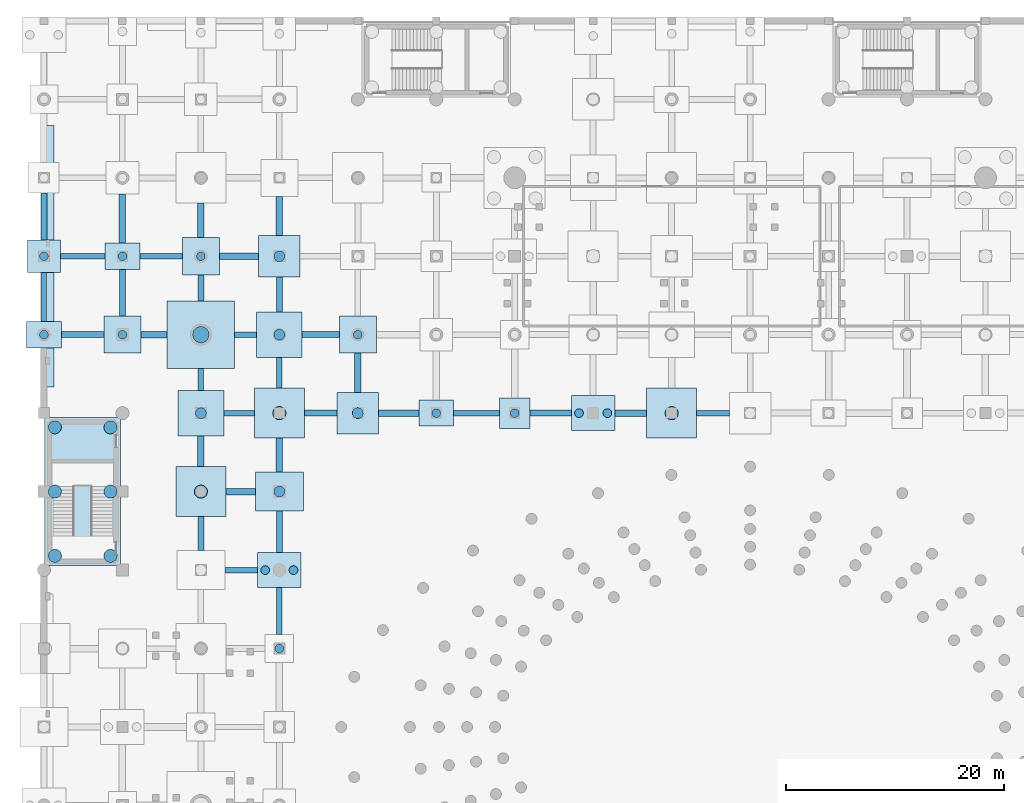
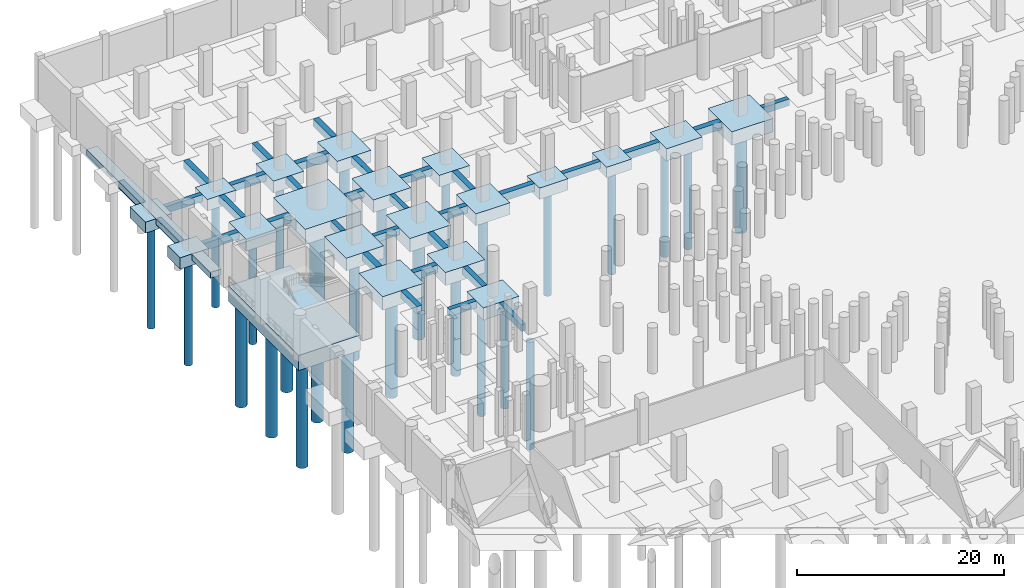
# One storey, part 7 of 37: 53 footings, 28 piles.
"""IFC4 building model written with IfcOpenShell, lengths in metres."""

from ifc_helpers import new_model, si_unit, direction, frame, origin, origin_2d, place, context, subcontext, project, spatial, rectangle, circle, extrude, material, material_profile, profile_set, type_object, element, save


model = new_model("IFC4")

# Units and contexts
model_context = context("Model", 3, precision=1e-05, world=origin(), true_north=direction((0.0, 1.0)))
body_context = subcontext(model_context, "Body", "Model", "MODEL_VIEW")
ifc_project = project(units=[si_unit("LENGTHUNIT", "METRE"), si_unit("AREAUNIT", "SQUARE_METRE"), si_unit("VOLUMEUNIT", "CUBIC_METRE"), si_unit("PLANEANGLEUNIT", "RADIAN"), si_unit("MASSUNIT", "GRAM", prefix="KILO")], contexts=[model_context])

# Site, building, storey
site_placement = place(None, origin())
site = spatial("IfcSite", under=ifc_project, at=site_placement, CompositionType="ELEMENT")
building_placement = place(site_placement, origin())
building = spatial("IfcBuilding", under=site, at=building_placement, Name="Qandorah Velis Arena", CompositionType="ELEMENT")
storey_placement = place(building_placement, frame((0.0, 0.0, -5.39990234375)))
storey = spatial("IfcBuildingStorey", under=building, at=storey_placement, Name="B1", CompositionType="ELEMENT", Elevation=-5.39990234375)

# Footings
ifc_material = material(Name="Concrete C40/50", Category="concrete")
footing_type_1 = type_object("IfcFootingType", Name="STR-CAP-PC1", PredefinedType="PILE_CAP", material=ifc_material)
footing_1_placement = place(storey_placement, frame((14.39990234375, 100.800048828125, -1.80029296875), z_axis=(0.0, 0.0, 1.0), x_axis=(1.0, 0.0, 0.0)))
element("IfcFooting", 1, at=footing_1_placement, inside=storey, type_object=footing_type_1, Name="Pile cap CAP-B1-052", PredefinedType="PILE_CAP", context=body_context, shape_type="SweptSolid", body=[
    extrude(rectangle(XDim=6.199951171875, YDim=6.199951171875, at=origin_2d()), origin(), (0.0, 0.0, 1.0), 1.800048828125),
])
footing_type_2 = type_object("IfcFootingType", Name="STR-CAP-PC12", PredefinedType="PILE_CAP", material=ifc_material)
footing_2_placement = place(storey_placement, frame((3.550048828125, 86.39990234375, -1.80029296875), z_axis=(0.0, 0.0, 1.0), x_axis=(1.0, 0.0, 0.0)))
element("IfcFooting", 2, at=footing_2_placement, inside=storey, type_object=footing_type_2, Name="Pile cap CAP-CORE-CORE-06", PredefinedType="PILE_CAP", context=body_context, shape_type="SweptSolid", body=[
    extrude(rectangle(XDim=6.89990234375, YDim=13.60009765625, at=origin_2d()), origin(), (0.0, 0.0, 1.0), 1.800048828125),
])
footing_type_3 = type_object("IfcFootingType", Name="STR-CAP-PC14", PredefinedType="PILE_CAP", material=ifc_material)
for number, where, z_axis, x_axis, name in (
    (3, (21.60009765625, 79.199951171875, -1.4501953125), (0.0, 0.0, 1.0), (1.0, 0.0, 0.0), "Pile cap CAP-B1-068"),
    (4, (50.39990234375, 93.60009765625, -1.4501953125), (0.0, 0.0, 1.0), (1.0, 0.0, 0.0), "Pile cap CAP-B1-118"),
):
    element("IfcFooting", number, at=place(storey_placement, frame(where, z_axis=z_axis, x_axis=x_axis)), inside=storey, type_object=footing_type_3, Name=name, PredefinedType="PILE_CAP", context=body_context, shape_type="SweptSolid", body=[
        extrude(rectangle(XDim=4.0, YDim=3.199951171875, at=origin_2d()), origin(), (0.0, 0.0, 1.0), 1.449951171875),
    ])
footing_type_4 = type_object("IfcFootingType", Name="STR-CAP-PC15", PredefinedType="PILE_CAP", material=ifc_material)
footing_3_placement = place(storey_placement, frame((21.60009765625, 86.39990234375, -1.55029296875), z_axis=(0.0, 0.0, 1.0), x_axis=(1.0, 0.0, 0.0)))
element("IfcFooting", 5, at=footing_3_placement, inside=storey, type_object=footing_type_4, Name="Pile cap CAP-B1-069", PredefinedType="PILE_CAP", context=body_context, shape_type="SweptSolid", body=[
    extrude(rectangle(XDim=4.39990234375, YDim=3.60009765625, at=origin_2d()), origin(), (0.0, 0.0, 1.0), 1.550048828125),
])
footing_type_5 = type_object("IfcFootingType", Name="STR-CAP-PC3", PredefinedType="PILE_CAP", material=ifc_material)
for number, where, z_axis, x_axis, name in (
    (6, (14.39990234375, 86.39990234375, -1.60009765625), (0.0, 0.0, 1.0), (1.0, 0.0, 0.0), "Pile cap CAP-B1-050"),
    (7, (21.60009765625, 93.60009765625, -1.60009765625), (0.0, 0.0, 1.0), (1.0, 0.0, 0.0), "Pile cap CAP-B1-070"),
    (8, (57.60009765625, 93.60009765625, -1.60009765625), (0.0, 0.0, 1.0), (1.0, 0.0, 0.0), "Pile cap CAP-B1-130"),
):
    element("IfcFooting", number, at=place(storey_placement, frame(where, z_axis=z_axis, x_axis=x_axis)), inside=storey, type_object=footing_type_5, Name=name, PredefinedType="PILE_CAP", context=body_context, shape_type="SweptSolid", body=[
        extrude(rectangle(XDim=4.60009765625, YDim=4.60009765625, at=origin_2d()), origin(), (0.0, 0.0, 1.0), 1.60009765625),
    ])
footing_type_6 = type_object("IfcFootingType", Name="STR-CAP-PC4", PredefinedType="PILE_CAP", material=ifc_material)
for number, where, z_axis, x_axis, name in (
    (9, (14.39990234375, 93.60009765625, -1.5), (0.0, 0.0, 1.0), (1.0, 0.0, 0.0), "Pile cap CAP-B1-051"),
    (10, (21.60009765625, 100.800048828125, -1.5), (0.0, 0.0, 1.0), (1.0, 0.0, 0.0), "Pile cap CAP-B1-071"),
):
    element("IfcFooting", number, at=place(storey_placement, frame(where, z_axis=z_axis, x_axis=x_axis)), inside=storey, type_object=footing_type_6, Name=name, PredefinedType="PILE_CAP", context=body_context, shape_type="SweptSolid", body=[
        extrude(rectangle(XDim=4.199951171875, YDim=4.199951171875, at=origin_2d()), origin(), (0.0, 0.0, 1.0), 1.5),
    ])
footing_type_7 = type_object("IfcFootingType", Name="STR-CAP-PC5", PredefinedType="PILE_CAP", material=ifc_material)
for number, where, z_axis, x_axis, name in (
    (11, (21.60009765625, 108.0, -1.400146484375), (0.0, 0.0, 1.0), (1.0, 0.0, 0.0), "Pile cap CAP-B1-072"),
    (12, (28.800048828125, 93.60009765625, -1.400146484375), (0.0, 0.0, 1.0), (1.0, 0.0, 0.0), "Pile cap CAP-B1-082"),
):
    element("IfcFooting", number, at=place(storey_placement, frame(where, z_axis=z_axis, x_axis=x_axis)), inside=storey, type_object=footing_type_7, Name=name, PredefinedType="PILE_CAP", context=body_context, shape_type="SweptSolid", body=[
        extrude(rectangle(XDim=3.800048828125, YDim=3.800048828125, at=origin_2d()), origin(), (0.0, 0.0, 1.0), 1.39990234375),
    ])
footing_type_8 = type_object("IfcFootingType", Name="STR-CAP-PC6", PredefinedType="PILE_CAP", material=ifc_material)
for number, where, z_axis, x_axis, name in (
    (13, (7.199951171875, 100.800048828125, -1.400146484375), (0.0, 0.0, 1.0), (1.0, 0.0, 0.0), "Pile cap CAP-B1-033"),
    (14, (14.39990234375, 108.0, -1.400146484375), (0.0, 0.0, 1.0), (1.0, 0.0, 0.0), "Pile cap CAP-B1-053"),
    (15, (28.800048828125, 100.800048828125, -1.400146484375), (0.0, 0.0, 1.0), (1.0, 0.0, 0.0), "Pile cap CAP-B1-083"),
):
    element("IfcFooting", number, at=place(storey_placement, frame(where, z_axis=z_axis, x_axis=x_axis)), inside=storey, type_object=footing_type_8, Name=name, PredefinedType="PILE_CAP", context=body_context, shape_type="SweptSolid", body=[
        extrude(rectangle(XDim=3.39990234375, YDim=3.39990234375, at=origin_2d()), origin(), (0.0, 0.0, 1.0), 1.39990234375),
    ])
footing_type_9 = type_object("IfcFootingType", Name="STR-CAP-PC7", PredefinedType="PILE_CAP", material=ifc_material)
for number, where, z_axis, x_axis, name in (
    (16, (0.0, 100.800048828125, -1.35009765625), (0.0, 0.0, 1.0), (1.0, 0.0, 0.0), "Pile cap CAP-B1-014"),
    (17, (7.199951171875, 108.0, -1.35009765625), (0.0, 0.0, 1.0), (1.0, 0.0, 0.0), "Pile cap CAP-B1-034"),
    (18, (36.0, 93.60009765625, -1.35009765625), (0.0, 0.0, 1.0), (1.0, 0.0, 0.0), "Pile cap CAP-B1-094"),
):
    element("IfcFooting", number, at=place(storey_placement, frame(where, z_axis=z_axis, x_axis=x_axis)), inside=storey, type_object=footing_type_9, Name=name, PredefinedType="PILE_CAP", context=body_context, shape_type="SweptSolid", body=[
        extrude(rectangle(XDim=3.199951171875, YDim=2.39990234375, at=origin_2d()), origin(), (0.0, 0.0, 1.0), 1.35009765625),
    ])
footing_type_10 = type_object("IfcFootingType", Name="STR-CAP-PC8", PredefinedType="PILE_CAP", material=ifc_material)
footing_4_placement = place(storey_placement, frame((0.0, 108.0, -1.30029296875), z_axis=(0.0, 0.0, 1.0), x_axis=(1.0, 0.0, 0.0)))
element("IfcFooting", 19, at=footing_4_placement, inside=storey, type_object=footing_type_10, Name="Pile cap CAP-B1-015", PredefinedType="PILE_CAP", context=body_context, shape_type="SweptSolid", body=[
    extrude(rectangle(XDim=3.0, YDim=3.0, at=origin_2d()), origin(), (0.0, 0.0, 1.0), 1.300048828125),
])
footing_type_11 = type_object("IfcFootingType", Name="STR-CAP-PC9", PredefinedType="PILE_CAP", material=ifc_material)
footing_5_placement = place(storey_placement, frame((43.199951171875, 93.60009765625, -1.25), z_axis=(0.0, 0.0, 1.0), x_axis=(1.0, 0.0, 0.0)))
element("IfcFooting", 20, at=footing_5_placement, inside=storey, type_object=footing_type_11, Name="Pile cap CAP-B1-106", PredefinedType="PILE_CAP", context=body_context, shape_type="SweptSolid", body=[
    extrude(rectangle(XDim=2.800048828125, YDim=2.800048828125, at=origin_2d()), origin(), (0.0, 0.0, 1.0), 1.25),
])
ifc_material_profile_1 = material_profile(ifc_material, rectangle(XDim=0.60009765625, YDim=0.89990234375, at=origin_2d()), Name="GB1 600x900")
ifc_profile_set_1 = profile_set([ifc_material_profile_1], Name="Concrete C40/50")
footing_type_12 = type_object("IfcFootingType", Name="STR-GB-FB1", PredefinedType="FOOTING_BEAM", material=ifc_profile_set_1)
footing_6_placement = place(storey_placement, frame((7.199951171875, 109.199951171875, -0.4501953125), z_axis=(0.0, 1.0, 0.0), x_axis=(-1.0, 0.0, 0.0)))
element("IfcFooting", 21, at=footing_6_placement, inside=storey, type_object=footing_type_12, Name="Ground tie beam GB-018", PredefinedType="FOOTING_BEAM", context=body_context, shape_type="SweptSolid", body=[
    extrude(rectangle(XDim=0.60009765625, YDim=0.89990234375, at=origin_2d()), origin(), (0.0, 0.0, 1.0), 4.5),
])
footing_7_placement = place(storey_placement, frame((14.39990234375, 88.699951171875, -0.4501953125), z_axis=(0.0, 1.0, 0.0), x_axis=(-1.0, 0.0, 0.0)))
element("IfcFooting", 22, at=footing_7_placement, inside=storey, type_object=footing_type_12, Name="Ground tie beam GB-033", PredefinedType="FOOTING_BEAM", context=body_context, shape_type="SweptSolid", body=[
    extrude(rectangle(XDim=0.60009765625, YDim=0.89990234375, at=origin_2d()), origin(), (0.0, 0.0, 1.0), 2.800048828125),
])
footing_8_placement = place(storey_placement, frame((14.39990234375, 109.699951171875, -0.4501953125), z_axis=(0.0, 1.0, 0.0), x_axis=(-1.0, 0.0, 0.0)))
element("IfcFooting", 23, at=footing_8_placement, inside=storey, type_object=footing_type_12, Name="Ground tie beam GB-036", PredefinedType="FOOTING_BEAM", context=body_context, shape_type="SweptSolid", body=[
    extrude(rectangle(XDim=0.60009765625, YDim=0.89990234375, at=origin_2d()), origin(), (0.0, 0.0, 1.0), 3.199951171875),
])
footing_9_placement = place(storey_placement, frame((21.60009765625, 88.199951171875, -0.4501953125), z_axis=(0.0, 1.0, 0.0), x_axis=(-1.0, 0.0, 0.0)))
element("IfcFooting", 24, at=footing_9_placement, inside=storey, type_object=footing_type_12, Name="Ground tie beam GB-051", PredefinedType="FOOTING_BEAM", context=body_context, shape_type="SweptSolid", body=[
    extrude(rectangle(XDim=0.60009765625, YDim=0.89990234375, at=origin_2d()), origin(), (0.0, 0.0, 1.0), 3.10009765625),
])
for number, where, z_axis, x_axis, name in (
    (25, (21.60009765625, 109.89990234375, -0.4501953125), (0.0, 1.0, 0.0), (-1.0, 0.0, 0.0), "Ground tie beam GB-054"),
    (26, (28.800048828125, 95.5, -0.4501953125), (0.0, 1.0, 0.0), (-1.0, 0.0, 0.0), "Ground tie beam GB-060"),
):
    element("IfcFooting", number, at=place(storey_placement, frame(where, z_axis=z_axis, x_axis=x_axis)), inside=storey, type_object=footing_type_12, Name=name, PredefinedType="FOOTING_BEAM", context=body_context, shape_type="SweptSolid", body=[
        extrude(rectangle(XDim=0.60009765625, YDim=0.89990234375, at=origin_2d()), origin(), (0.0, 0.0, 1.0), 3.60009765625),
    ])
footing_10_placement = place(storey_placement, frame((16.699951171875, 86.39990234375, -0.4501953125), z_axis=(1.0, 0.0, 0.0), x_axis=(0.0, 1.0, 0.0)))
element("IfcFooting", 27, at=footing_10_placement, inside=storey, type_object=footing_type_12, Name="Ground tie beam GB-420", PredefinedType="FOOTING_BEAM", context=body_context, shape_type="SweptSolid", body=[
    extrude(rectangle(XDim=0.60009765625, YDim=0.89990234375, at=origin_2d()), origin(), (0.0, 0.0, 1.0), 2.699951171875),
])
footing_11_placement = place(storey_placement, frame((30.699951171875, 93.60009765625, -0.4501953125), z_axis=(1.0, 0.0, 0.0), x_axis=(0.0, 1.0, 0.0)))
element("IfcFooting", 28, at=footing_11_placement, inside=storey, type_object=footing_type_12, Name="Ground tie beam GB-429", PredefinedType="FOOTING_BEAM", context=body_context, shape_type="SweptSolid", body=[
    extrude(rectangle(XDim=0.60009765625, YDim=0.89990234375, at=origin_2d()), origin(), (0.0, 0.0, 1.0), 3.699951171875),
])
footing_12_placement = place(storey_placement, frame((52.39990234375, 93.60009765625, -0.4501953125), z_axis=(1.0, 0.0, 0.0), x_axis=(0.0, 1.0, 0.0)))
element("IfcFooting", 29, at=footing_12_placement, inside=storey, type_object=footing_type_12, Name="Ground tie beam GB-432", PredefinedType="FOOTING_BEAM", context=body_context, shape_type="SweptSolid", body=[
    extrude(rectangle(XDim=0.60009765625, YDim=0.89990234375, at=origin_2d()), origin(), (0.0, 0.0, 1.0), 2.900146484375),
])
footing_13_placement = place(storey_placement, frame((8.89990234375, 100.800048828125, -0.4501953125), z_axis=(1.0, 0.0, 0.0), x_axis=(0.0, 1.0, 0.0)))
element("IfcFooting", 30, at=footing_13_placement, inside=storey, type_object=footing_type_12, Name="Ground tie beam GB-447", PredefinedType="FOOTING_BEAM", context=body_context, shape_type="SweptSolid", body=[
    extrude(rectangle(XDim=0.60009765625, YDim=0.89990234375, at=origin_2d()), origin(), (0.0, 0.0, 1.0), 2.400146484375),
])
footing_14_placement = place(storey_placement, frame((16.10009765625, 108.0, -0.4501953125), z_axis=(1.0, 0.0, 0.0), x_axis=(0.0, 1.0, 0.0)))
element("IfcFooting", 31, at=footing_14_placement, inside=storey, type_object=footing_type_12, Name="Ground tie beam GB-471", PredefinedType="FOOTING_BEAM", context=body_context, shape_type="SweptSolid", body=[
    extrude(rectangle(XDim=0.60009765625, YDim=0.89990234375, at=origin_2d()), origin(), (0.0, 0.0, 1.0), 3.599853515625),
])
ifc_material_profile_2 = material_profile(ifc_material, rectangle(XDim=0.5, YDim=0.800048828125, at=origin_2d()), Name="GB2 500x800")
ifc_profile_set_2 = profile_set([ifc_material_profile_2], Name="Concrete C40/50")
footing_type_13 = type_object("IfcFootingType", Name="STR-GB-FB2", PredefinedType="FOOTING_BEAM", material=ifc_profile_set_2)
footing_15_placement = place(storey_placement, frame((0.0, 102.0, -0.400146484375), z_axis=(0.0, 1.0, 0.0), x_axis=(-1.0, 0.0, 0.0)))
element("IfcFooting", 32, at=footing_15_placement, inside=storey, type_object=footing_type_13, Name="Ground tie beam GB-007", PredefinedType="FOOTING_BEAM", context=body_context, shape_type="SweptSolid", body=[
    extrude(rectangle(XDim=0.5, YDim=0.800048828125, at=origin_2d()), origin(), (0.0, 0.0, 1.0), 4.5),
])
footing_16_placement = place(storey_placement, frame((14.39990234375, 95.699951171875, -0.400146484375), z_axis=(0.0, 1.0, 0.0), x_axis=(-1.0, 0.0, 0.0)))
element("IfcFooting", 33, at=footing_16_placement, inside=storey, type_object=footing_type_13, Name="Ground tie beam GB-034", PredefinedType="FOOTING_BEAM", context=body_context, shape_type="SweptSolid", body=[
    extrude(rectangle(XDim=0.5, YDim=0.800048828125, at=origin_2d()), origin(), (0.0, 0.0, 1.0), 2.0),
])
footing_17_placement = place(storey_placement, frame((21.60009765625, 73.300048828125, -0.400146484375), z_axis=(0.0, 1.0, 0.0), x_axis=(-1.0, 0.0, 0.0)))
element("IfcFooting", 34, at=footing_17_placement, inside=storey, type_object=footing_type_13, Name="Ground tie beam GB-049", PredefinedType="FOOTING_BEAM", context=body_context, shape_type="SweptSolid", body=[
    extrude(rectangle(XDim=0.5, YDim=0.800048828125, at=origin_2d()), origin(), (0.0, 0.0, 1.0), 4.300048828125),
])
footing_18_placement = place(storey_placement, frame((21.60009765625, 95.89990234375, -0.400146484375), z_axis=(0.0, 1.0, 0.0), x_axis=(-1.0, 0.0, 0.0)))
element("IfcFooting", 35, at=footing_18_placement, inside=storey, type_object=footing_type_13, Name="Ground tie beam GB-052", PredefinedType="FOOTING_BEAM", context=body_context, shape_type="SweptSolid", body=[
    extrude(rectangle(XDim=0.5, YDim=0.800048828125, at=origin_2d()), origin(), (0.0, 0.0, 1.0), 2.800048828125),
])
footing_19_placement = place(storey_placement, frame((16.60009765625, 79.199951171875, -0.400146484375), z_axis=(1.0, 0.0, 0.0), x_axis=(0.0, 1.0, 0.0)))
element("IfcFooting", 36, at=footing_19_placement, inside=storey, type_object=footing_type_13, Name="Ground tie beam GB-418", PredefinedType="FOOTING_BEAM", context=body_context, shape_type="SweptSolid", body=[
    extrude(rectangle(XDim=0.5, YDim=0.800048828125, at=origin_2d()), origin(), (0.0, 0.0, 1.0), 3.0),
])
footing_20_placement = place(storey_placement, frame((16.5, 93.60009765625, -0.400146484375), z_axis=(1.0, 0.0, 0.0), x_axis=(0.0, 1.0, 0.0)))
element("IfcFooting", 37, at=footing_20_placement, inside=storey, type_object=footing_type_13, Name="Ground tie beam GB-427", PredefinedType="FOOTING_BEAM", context=body_context, shape_type="SweptSolid", body=[
    extrude(rectangle(XDim=0.5, YDim=0.800048828125, at=origin_2d()), origin(), (0.0, 0.0, 1.0), 2.800048828125),
])
footing_21_placement = place(storey_placement, frame((37.60009765625, 93.60009765625, -0.400146484375), z_axis=(1.0, 0.0, 0.0), x_axis=(0.0, 1.0, 0.0)))
element("IfcFooting", 38, at=footing_21_placement, inside=storey, type_object=footing_type_13, Name="Ground tie beam GB-430", PredefinedType="FOOTING_BEAM", context=body_context, shape_type="SweptSolid", body=[
    extrude(rectangle(XDim=0.5, YDim=0.800048828125, at=origin_2d()), origin(), (0.0, 0.0, 1.0), 4.199951171875),
])
footing_22_placement = place(storey_placement, frame((59.89990234375, 93.60009765625, -0.400146484375), z_axis=(1.0, 0.0, 0.0), x_axis=(0.0, 1.0, 0.0)))
element("IfcFooting", 39, at=footing_22_placement, inside=storey, type_object=footing_type_13, Name="Ground tie beam GB-433", PredefinedType="FOOTING_BEAM", context=body_context, shape_type="SweptSolid", body=[
    extrude(rectangle(XDim=0.5, YDim=0.800048828125, at=origin_2d()), origin(), (0.0, 0.0, 1.0), 3.0),
])
footing_23_placement = place(storey_placement, frame((17.5, 100.800048828125, -0.400146484375), z_axis=(1.0, 0.0, 0.0), x_axis=(0.0, 1.0, 0.0)))
element("IfcFooting", 40, at=footing_23_placement, inside=storey, type_object=footing_type_13, Name="Ground tie beam GB-448", PredefinedType="FOOTING_BEAM", context=body_context, shape_type="SweptSolid", body=[
    extrude(rectangle(XDim=0.5, YDim=0.800048828125, at=origin_2d()), origin(), (0.0, 0.0, 1.0), 2.0),
])
footing_24_placement = place(storey_placement, frame((1.5, 108.0, -0.400146484375), z_axis=(1.0, 0.0, 0.0), x_axis=(0.0, 1.0, 0.0)))
element("IfcFooting", 41, at=footing_24_placement, inside=storey, type_object=footing_type_13, Name="Ground tie beam GB-469", PredefinedType="FOOTING_BEAM", context=body_context, shape_type="SweptSolid", body=[
    extrude(rectangle(XDim=0.5, YDim=0.800048828125, at=origin_2d()), origin(), (0.0, 0.0, 1.0), 4.10009765625),
])
ifc_material_profile_3 = material_profile(ifc_material, rectangle(XDim=0.550048828125, YDim=0.85009765625, at=origin_2d()), Name="GB3 550x850")
ifc_profile_set_3 = profile_set([ifc_material_profile_3], Name="Concrete C40/50")
footing_type_14 = type_object("IfcFootingType", Name="STR-GB-FB3", PredefinedType="FOOTING_BEAM", material=ifc_profile_set_3)
for number, where, z_axis, x_axis, name in (
    (42, (0.0, 109.5, -0.425048828125), (0.0, 1.0, 0.0), (-1.0, 0.0, 0.0), "Ground tie beam GB-008"),
    (43, (7.199951171875, 102.5, -0.425048828125), (0.0, 1.0, 0.0), (-1.0, 0.0, 0.0), "Ground tie beam GB-017"),
):
    element("IfcFooting", number, at=place(storey_placement, frame(where, z_axis=z_axis, x_axis=x_axis)), inside=storey, type_object=footing_type_14, Name=name, PredefinedType="FOOTING_BEAM", context=body_context, shape_type="SweptSolid", body=[
        extrude(rectangle(XDim=0.550048828125, YDim=0.85009765625, at=origin_2d()), origin(), (0.0, 0.0, 1.0), 4.300048828125),
    ])
footing_25_placement = place(storey_placement, frame((14.39990234375, 81.0, -0.425048828125), z_axis=(0.0, 1.0, 0.0), x_axis=(-1.0, 0.0, 0.0)))
element("IfcFooting", 44, at=footing_25_placement, inside=storey, type_object=footing_type_14, Name="Ground tie beam GB-032", PredefinedType="FOOTING_BEAM", context=body_context, shape_type="SweptSolid", body=[
    extrude(rectangle(XDim=0.550048828125, YDim=0.85009765625, at=origin_2d()), origin(), (0.0, 0.0, 1.0), 3.10009765625),
])
footing_26_placement = place(storey_placement, frame((14.39990234375, 103.89990234375, -0.425048828125), z_axis=(0.0, 1.0, 0.0), x_axis=(-1.0, 0.0, 0.0)))
element("IfcFooting", 45, at=footing_26_placement, inside=storey, type_object=footing_type_14, Name="Ground tie beam GB-035", PredefinedType="FOOTING_BEAM", context=body_context, shape_type="SweptSolid", body=[
    extrude(rectangle(XDim=0.550048828125, YDim=0.85009765625, at=origin_2d()), origin(), (0.0, 0.0, 1.0), 2.400146484375),
])
footing_27_placement = place(storey_placement, frame((21.60009765625, 80.800048828125, -0.425048828125), z_axis=(0.0, 1.0, 0.0), x_axis=(-1.0, 0.0, 0.0)))
element("IfcFooting", 46, at=footing_27_placement, inside=storey, type_object=footing_type_14, Name="Ground tie beam GB-050", PredefinedType="FOOTING_BEAM", context=body_context, shape_type="SweptSolid", body=[
    extrude(rectangle(XDim=0.550048828125, YDim=0.85009765625, at=origin_2d()), origin(), (0.0, 0.0, 1.0), 3.800048828125),
])
footing_28_placement = place(storey_placement, frame((21.60009765625, 102.89990234375, -0.425048828125), z_axis=(0.0, 1.0, 0.0), x_axis=(-1.0, 0.0, 0.0)))
element("IfcFooting", 47, at=footing_28_placement, inside=storey, type_object=footing_type_14, Name="Ground tie beam GB-053", PredefinedType="FOOTING_BEAM", context=body_context, shape_type="SweptSolid", body=[
    extrude(rectangle(XDim=0.550048828125, YDim=0.85009765625, at=origin_2d()), origin(), (0.0, 0.0, 1.0), 3.2001953125),
])
footing_29_placement = place(storey_placement, frame((23.89990234375, 93.60009765625, -0.425048828125), z_axis=(1.0, 0.0, 0.0), x_axis=(0.0, 1.0, 0.0)))
element("IfcFooting", 48, at=footing_29_placement, inside=storey, type_object=footing_type_14, Name="Ground tie beam GB-428", PredefinedType="FOOTING_BEAM", context=body_context, shape_type="SweptSolid", body=[
    extrude(rectangle(XDim=0.550048828125, YDim=0.85009765625, at=origin_2d()), origin(), (0.0, 0.0, 1.0), 3.0),
])
footing_30_placement = place(storey_placement, frame((44.60009765625, 93.60009765625, -0.425048828125), z_axis=(1.0, 0.0, 0.0), x_axis=(0.0, 1.0, 0.0)))
element("IfcFooting", 49, at=footing_30_placement, inside=storey, type_object=footing_type_14, Name="Ground tie beam GB-431", PredefinedType="FOOTING_BEAM", context=body_context, shape_type="SweptSolid", body=[
    extrude(rectangle(XDim=0.550048828125, YDim=0.85009765625, at=origin_2d()), origin(), (0.0, 0.0, 1.0), 3.7998046875),
])
footing_31_placement = place(storey_placement, frame((1.60009765625, 100.800048828125, -0.425048828125), z_axis=(1.0, 0.0, 0.0), x_axis=(0.0, 1.0, 0.0)))
element("IfcFooting", 50, at=footing_31_placement, inside=storey, type_object=footing_type_14, Name="Ground tie beam GB-446", PredefinedType="FOOTING_BEAM", context=body_context, shape_type="SweptSolid", body=[
    extrude(rectangle(XDim=0.550048828125, YDim=0.85009765625, at=origin_2d()), origin(), (0.0, 0.0, 1.0), 3.89990234375),
])
footing_32_placement = place(storey_placement, frame((23.699951171875, 100.800048828125, -0.425048828125), z_axis=(1.0, 0.0, 0.0), x_axis=(0.0, 1.0, 0.0)))
element("IfcFooting", 51, at=footing_32_placement, inside=storey, type_object=footing_type_14, Name="Ground tie beam GB-449", PredefinedType="FOOTING_BEAM", context=body_context, shape_type="SweptSolid", body=[
    extrude(rectangle(XDim=0.550048828125, YDim=0.85009765625, at=origin_2d()), origin(), (0.0, 0.0, 1.0), 3.400146484375),
])
footing_33_placement = place(storey_placement, frame((8.800048828125, 108.0, -0.425048828125), z_axis=(1.0, 0.0, 0.0), x_axis=(0.0, 1.0, 0.0)))
element("IfcFooting", 52, at=footing_33_placement, inside=storey, type_object=footing_type_14, Name="Ground tie beam GB-470", PredefinedType="FOOTING_BEAM", context=body_context, shape_type="SweptSolid", body=[
    extrude(rectangle(XDim=0.550048828125, YDim=0.85009765625, at=origin_2d()), origin(), (0.0, 0.0, 1.0), 3.89990234375),
])

# Piles
ifc_material_profile_4 = material_profile(ifc_material, circle(Radius=0.5, at=origin_2d()), Name="BORED PILE D1000")
ifc_profile_set_4 = profile_set([ifc_material_profile_4], Name="Concrete C40/50")
pile_type_1 = type_object("IfcPileType", Name="STR-PILE-BP1000", PredefinedType="BORED", material=ifc_profile_set_4)
pile_1_placement = place(storey_placement, frame((14.39990234375, 93.60009765625, -1.400146484375), z_axis=(0.0, 0.0, -1.0), x_axis=(1.0, 0.0, 0.0)))
element("IfcPile", 53, at=pile_1_placement, inside=storey, type_object=pile_type_1, Name="Bored pile PILE-CAP-B1-051-11", PredefinedType="BORED", context=body_context, shape_type="SweptSolid", body=[
    extrude(circle(Radius=0.5, at=origin_2d()), origin(), (0.0, 0.0, 1.0), 12.39990234375),
])
pile_2_placement = place(storey_placement, frame((21.60009765625, 86.39990234375, -1.4501953125), z_axis=(0.0, 0.0, -1.0), x_axis=(1.0, 0.0, 0.0)))
element("IfcPile", 54, at=pile_2_placement, inside=storey, type_object=pile_type_1, Name="Bored pile PILE-CAP-B1-069-11", PredefinedType="BORED", context=body_context, shape_type="SweptSolid", body=[
    extrude(circle(Radius=0.5, at=origin_2d()), origin(), (0.0, 0.0, 1.0), 12.35009765625),
])
pile_3_placement = place(storey_placement, frame((21.60009765625, 100.800048828125, -1.400146484375), z_axis=(0.0, 0.0, -1.0), x_axis=(1.0, 0.0, 0.0)))
element("IfcPile", 55, at=pile_3_placement, inside=storey, type_object=pile_type_1, Name="Bored pile PILE-CAP-B1-071-11", PredefinedType="BORED", context=body_context, shape_type="SweptSolid", body=[
    extrude(circle(Radius=0.5, at=origin_2d()), origin(), (0.0, 0.0, 1.0), 12.39990234375),
])
for number, where, z_axis, x_axis, name in (
    (56, (21.60009765625, 108.0, -1.300048828125), (0.0, 0.0, -1.0), (1.0, 0.0, 0.0), "Bored pile PILE-CAP-B1-072-11"),
    (57, (28.800048828125, 93.60009765625, -1.300048828125), (0.0, 0.0, -1.0), (1.0, 0.0, 0.0), "Bored pile PILE-CAP-B1-082-11"),
):
    element("IfcPile", number, at=place(storey_placement, frame(where, z_axis=z_axis, x_axis=x_axis)), inside=storey, type_object=pile_type_1, Name=name, PredefinedType="BORED", context=body_context, shape_type="SweptSolid", body=[
        extrude(circle(Radius=0.5, at=origin_2d()), origin(), (0.0, 0.0, 1.0), 12.5),
    ])
ifc_material_profile_5 = material_profile(ifc_material, circle(Radius=0.60009765625, at=origin_2d()), Name="BORED PILE D1200")
ifc_profile_set_5 = profile_set([ifc_material_profile_5], Name="Concrete C40/50")
pile_type_2 = type_object("IfcPileType", Name="STR-PILE-BP1200", PredefinedType="BORED", material=ifc_profile_set_5)
for number, where, z_axis, x_axis, name in (
    (58, (1.0, 80.5, -1.7001953125), (0.0, 0.0, -1.0), (1.0, 0.0, 0.0), "Bored pile PILE-CAP-CORE-CORE-06-11"),
    (59, (1.0, 86.39990234375, -1.7001953125), (0.0, 0.0, -1.0), (1.0, 0.0, 0.0), "Bored pile PILE-CAP-CORE-CORE-06-12"),
    (60, (1.0, 92.300048828125, -1.7001953125), (0.0, 0.0, -1.0), (1.0, 0.0, 0.0), "Bored pile PILE-CAP-CORE-CORE-06-13"),
    (61, (6.10009765625, 80.5, -1.7001953125), (0.0, 0.0, -1.0), (1.0, 0.0, 0.0), "Bored pile PILE-CAP-CORE-CORE-06-21"),
    (62, (6.10009765625, 86.39990234375, -1.7001953125), (0.0, 0.0, -1.0), (1.0, 0.0, 0.0), "Bored pile PILE-CAP-CORE-CORE-06-22"),
    (63, (6.10009765625, 92.300048828125, -1.7001953125), (0.0, 0.0, -1.0), (1.0, 0.0, 0.0), "Bored pile PILE-CAP-CORE-CORE-06-23"),
):
    element("IfcPile", number, at=place(storey_placement, frame(where, z_axis=z_axis, x_axis=x_axis)), inside=storey, type_object=pile_type_2, Name=name, PredefinedType="BORED", context=body_context, shape_type="SweptSolid", body=[
        extrude(circle(Radius=0.60009765625, at=origin_2d()), origin(), (0.0, 0.0, 1.0), 12.10009765625),
    ])
for number, where, z_axis, x_axis, name in (
    (64, (14.39990234375, 86.39990234375, -1.5), (0.0, 0.0, -1.0), (1.0, 0.0, 0.0), "Bored pile PILE-CAP-B1-050-11"),
    (65, (21.60009765625, 93.60009765625, -1.5), (0.0, 0.0, -1.0), (1.0, 0.0, 0.0), "Bored pile PILE-CAP-B1-070-11"),
    (66, (57.60009765625, 93.60009765625, -1.5), (0.0, 0.0, -1.0), (1.0, 0.0, 0.0), "Bored pile PILE-CAP-B1-130-11"),
):
    element("IfcPile", number, at=place(storey_placement, frame(where, z_axis=z_axis, x_axis=x_axis)), inside=storey, type_object=pile_type_2, Name=name, PredefinedType="BORED", context=body_context, shape_type="SweptSolid", body=[
        extrude(circle(Radius=0.60009765625, at=origin_2d()), origin(), (0.0, 0.0, 1.0), 12.300048828125),
    ])
ifc_material_profile_6 = material_profile(ifc_material, circle(Radius=0.75, at=origin_2d()), Name="BORED PILE D1500")
ifc_profile_set_6 = profile_set([ifc_material_profile_6], Name="Concrete C40/50")
pile_type_3 = type_object("IfcPileType", Name="STR-PILE-BP1500", PredefinedType="BORED", material=ifc_profile_set_6)
pile_4_placement = place(storey_placement, frame((14.39990234375, 100.800048828125, -1.7001953125), z_axis=(0.0, 0.0, -1.0), x_axis=(1.0, 0.0, 0.0)))
element("IfcPile", 67, at=pile_4_placement, inside=storey, type_object=pile_type_3, Name="Bored pile PILE-CAP-B1-052-11", PredefinedType="BORED", context=body_context, shape_type="SweptSolid", body=[
    extrude(circle(Radius=0.75, at=origin_2d()), origin(), (0.0, 0.0, 1.0), 12.10009765625),
])
ifc_material_profile_7 = material_profile(ifc_material, circle(Radius=0.39990234375, at=origin_2d()), Name="BORED PILE D800")
ifc_profile_set_7 = profile_set([ifc_material_profile_7], Name="Concrete C40/50")
pile_type_4 = type_object("IfcPileType", Name="STR-PILE-BP800", PredefinedType="BORED", material=ifc_profile_set_7)
pile_5_placement = place(storey_placement, frame((0.0, 100.800048828125, -1.25), z_axis=(0.0, 0.0, -1.0), x_axis=(1.0, 0.0, 0.0)))
element("IfcPile", 68, at=pile_5_placement, inside=storey, type_object=pile_type_4, Name="Bored pile PILE-CAP-B1-014-11", PredefinedType="BORED", context=body_context, shape_type="SweptSolid", body=[
    extrude(circle(Radius=0.39990234375, at=origin_2d()), origin(), (0.0, 0.0, 1.0), 12.550048828125),
])
pile_6_placement = place(storey_placement, frame((0.0, 108.0, -1.2001953125), z_axis=(0.0, 0.0, -1.0), x_axis=(1.0, 0.0, 0.0)))
element("IfcPile", 69, at=pile_6_placement, inside=storey, type_object=pile_type_4, Name="Bored pile PILE-CAP-B1-015-11", PredefinedType="BORED", context=body_context, shape_type="SweptSolid", body=[
    extrude(circle(Radius=0.39990234375, at=origin_2d()), origin(), (0.0, 0.0, 1.0), 12.60009765625),
])
pile_7_placement = place(storey_placement, frame((7.199951171875, 100.800048828125, -1.300048828125), z_axis=(0.0, 0.0, -1.0), x_axis=(1.0, 0.0, 0.0)))
element("IfcPile", 70, at=pile_7_placement, inside=storey, type_object=pile_type_4, Name="Bored pile PILE-CAP-B1-033-11", PredefinedType="BORED", context=body_context, shape_type="SweptSolid", body=[
    extrude(circle(Radius=0.39990234375, at=origin_2d()), origin(), (0.0, 0.0, 1.0), 12.5),
])
pile_8_placement = place(storey_placement, frame((7.199951171875, 108.0, -1.25), z_axis=(0.0, 0.0, -1.0), x_axis=(1.0, 0.0, 0.0)))
element("IfcPile", 71, at=pile_8_placement, inside=storey, type_object=pile_type_4, Name="Bored pile PILE-CAP-B1-034-11", PredefinedType="BORED", context=body_context, shape_type="SweptSolid", body=[
    extrude(circle(Radius=0.39990234375, at=origin_2d()), origin(), (0.0, 0.0, 1.0), 12.550048828125),
])
pile_9_placement = place(storey_placement, frame((14.39990234375, 108.0, -1.300048828125), z_axis=(0.0, 0.0, -1.0), x_axis=(1.0, 0.0, 0.0)))
element("IfcPile", 72, at=pile_9_placement, inside=storey, type_object=pile_type_4, Name="Bored pile PILE-CAP-B1-053-11", PredefinedType="BORED", context=body_context, shape_type="SweptSolid", body=[
    extrude(circle(Radius=0.39990234375, at=origin_2d()), origin(), (0.0, 0.0, 1.0), 12.5),
])
pile_10_placement = place(storey_placement, frame((21.60009765625, 72.0, -1.10009765625), z_axis=(0.0, 0.0, -1.0), x_axis=(1.0, 0.0, 0.0)))
element("IfcPile", 73, at=pile_10_placement, inside=storey, type_object=pile_type_4, Name="Bored pile PILE-CAP-B1-067-11", PredefinedType="BORED", context=body_context, shape_type="SweptSolid", body=[
    extrude(circle(Radius=0.39990234375, at=origin_2d()), origin(), (0.0, 0.0, 1.0), 12.699951171875),
])
for number, where, z_axis, x_axis, name in (
    (74, (20.300048828125, 79.199951171875, -1.35009765625), (0.0, 0.0, -1.0), (1.0, 0.0, 0.0), "Bored pile PILE-CAP-B1-068-11"),
    (75, (22.89990234375, 79.199951171875, -1.35009765625), (0.0, 0.0, -1.0), (1.0, 0.0, 0.0), "Bored pile PILE-CAP-B1-068-21"),
):
    element("IfcPile", number, at=place(storey_placement, frame(where, z_axis=z_axis, x_axis=x_axis)), inside=storey, type_object=pile_type_4, Name=name, PredefinedType="BORED", context=body_context, shape_type="SweptSolid", body=[
        extrude(circle(Radius=0.39990234375, at=origin_2d()), origin(), (0.0, 0.0, 1.0), 12.449951171875),
    ])
pile_11_placement = place(storey_placement, frame((28.800048828125, 100.800048828125, -1.300048828125), z_axis=(0.0, 0.0, -1.0), x_axis=(1.0, 0.0, 0.0)))
element("IfcPile", 76, at=pile_11_placement, inside=storey, type_object=pile_type_4, Name="Bored pile PILE-CAP-B1-083-11", PredefinedType="BORED", context=body_context, shape_type="SweptSolid", body=[
    extrude(circle(Radius=0.39990234375, at=origin_2d()), origin(), (0.0, 0.0, 1.0), 12.5),
])
pile_12_placement = place(storey_placement, frame((36.0, 93.60009765625, -1.25), z_axis=(0.0, 0.0, -1.0), x_axis=(1.0, 0.0, 0.0)))
element("IfcPile", 77, at=pile_12_placement, inside=storey, type_object=pile_type_4, Name="Bored pile PILE-CAP-B1-094-11", PredefinedType="BORED", context=body_context, shape_type="SweptSolid", body=[
    extrude(circle(Radius=0.39990234375, at=origin_2d()), origin(), (0.0, 0.0, 1.0), 12.550048828125),
])
pile_13_placement = place(storey_placement, frame((43.199951171875, 93.60009765625, -1.150146484375), z_axis=(0.0, 0.0, -1.0), x_axis=(1.0, 0.0, 0.0)))
element("IfcPile", 78, at=pile_13_placement, inside=storey, type_object=pile_type_4, Name="Bored pile PILE-CAP-B1-106-11", PredefinedType="BORED", context=body_context, shape_type="SweptSolid", body=[
    extrude(circle(Radius=0.39990234375, at=origin_2d()), origin(), (0.0, 0.0, 1.0), 12.64990234375),
])
for number, where, z_axis, x_axis, name in (
    (79, (49.10009765625, 93.60009765625, -1.35009765625), (0.0, 0.0, -1.0), (1.0, 0.0, 0.0), "Bored pile PILE-CAP-B1-118-11"),
    (80, (51.699951171875, 93.60009765625, -1.35009765625), (0.0, 0.0, -1.0), (1.0, 0.0, 0.0), "Bored pile PILE-CAP-B1-118-21"),
):
    element("IfcPile", number, at=place(storey_placement, frame(where, z_axis=z_axis, x_axis=x_axis)), inside=storey, type_object=pile_type_4, Name=name, PredefinedType="BORED", context=body_context, shape_type="SweptSolid", body=[
        extrude(circle(Radius=0.39990234375, at=origin_2d()), origin(), (0.0, 0.0, 1.0), 12.449951171875),
    ])

# Footing
ifc_material_profile_8 = material_profile(ifc_material, rectangle(XDim=1.199951171875, YDim=0.699951171875, at=origin_2d()), Name="SF1 1200x700")
ifc_profile_set_8 = profile_set([ifc_material_profile_8], Name="Concrete C40/50")
footing_type_15 = type_object("IfcFootingType", Name="STR-SF-SF1", PredefinedType="STRIP_FOOTING", material=ifc_profile_set_8)
footing_34_placement = place(storey_placement, frame((0.300048828125, 96.0, -0.35009765625), z_axis=(0.0, 1.0, 0.0), x_axis=(-1.0, 0.0, 0.0)))
element("IfcFooting", 81, at=footing_34_placement, inside=storey, type_object=footing_type_15, Name="Perimeter strip footing SF-03", PredefinedType="STRIP_FOOTING", context=body_context, shape_type="SweptSolid", body=[
    extrude(rectangle(XDim=1.199951171875, YDim=0.699951171875, at=origin_2d()), origin(), (0.0, 0.0, 1.0), 24.0),
])

save(model, "model.ifc")
